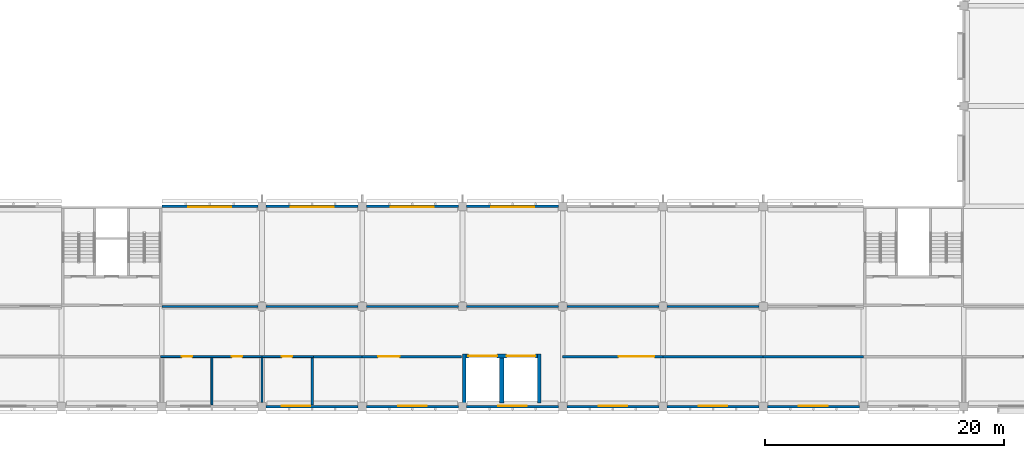
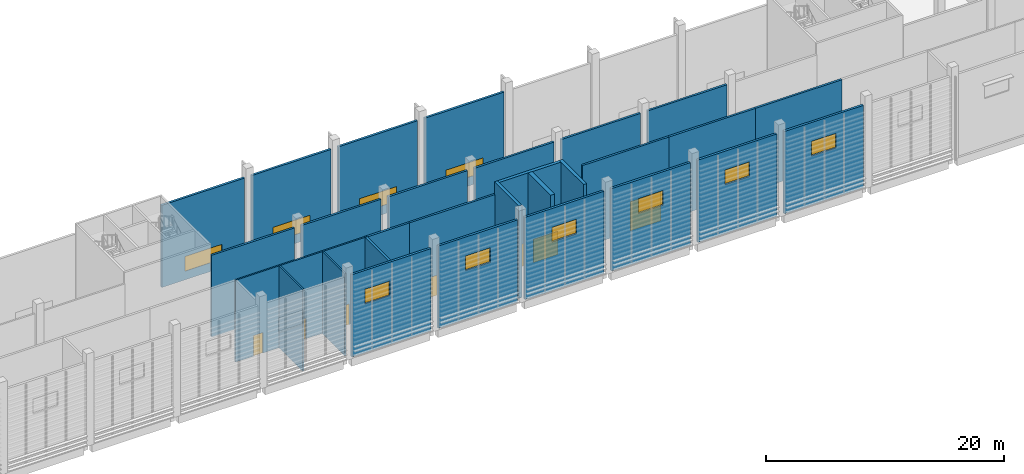
# One storey, part 43 of 114: 30 walls, 10 windows, 7 doors, 17 openings.
"""IFC4 building model written with IfcOpenShell, lengths in metres."""

import ifcopenshell
import ifcopenshell.guid

model = None  # the IFC model being written
_history = None  # IfcOwnerHistory: only IFC2X3 demands one
_inside = {}  # id of a spatial element -> (the spatial element, [elements in it])
_under = {}  # id of a project, library or spatial element -> (it, [spatial elements below it])
_declared = {}  # id of a project -> (the project, [libraries it declares])
_typed = {}  # id of a type object -> (the type object, [elements of that type])
_made_of = {}  # id of a material, layer set ... -> (it, [elements and type objects made of it])


def new_model(schema):
    """Start an empty IFC model of exactly this schema.

    Asked for "IFC4X3", IfcOpenShell would pick the latest addendum, in which some entities
    have other attributes; the version numbers below select the first issue.
    IFC2X3 requires an IfcOwnerHistory on every rooted entity: one is made here for all.
    """
    global model, _history
    if schema == "IFC4X3":
        model = ifcopenshell.file(schema_version=(4, 3, 0, 0))
    else:
        model = ifcopenshell.file(schema=schema)
    _inside.clear()
    _under.clear()
    _declared.clear()
    _typed.clear()
    _made_of.clear()
    _history = None
    if model.schema == "IFC2X3":
        org = make("IfcOrganization", Name="unknown")
        user = make(
            "IfcPersonAndOrganization",
            ThePerson=make("IfcPerson", FamilyName="unknown"),
            TheOrganization=org,
        )
        app = make(
            "IfcApplication",
            ApplicationDeveloper=org,
            Version="unknown",
            ApplicationFullName="unknown",
            ApplicationIdentifier="unknown",
        )
        _history = make(
            "IfcOwnerHistory",
            OwningUser=user,
            OwningApplication=app,
            ChangeAction="ADDED",
            CreationDate=0,
        )
    return model


def make(cls, **values):
    """One entity of the class cls with the attributes given. An attribute that is None is left unset."""
    return model.create_entity(
        cls, **{name: value for name, value in values.items() if value is not None}
    )


def rooted(cls, **values):
    """An entity with a GlobalId (a new one), such as an element, a storey or a relation."""
    return make(cls, GlobalId=ifcopenshell.guid.new(), OwnerHistory=_history, **values)


def si_unit(unit_type, name, prefix=None):
    """IfcSIUnit, for example si_unit("LENGTHUNIT", "METRE", prefix="MILLI")."""
    return make("IfcSIUnit", UnitType=unit_type, Prefix=prefix, Name=name)


def assignment(units):
    """IfcUnitAssignment: the units of a project."""
    return None if units is None else make("IfcUnitAssignment", Units=units)


def point(xyz):
    """IfcCartesianPoint."""
    return None if xyz is None else make("IfcCartesianPoint", Coordinates=xyz)


def direction(xyz):
    """IfcDirection."""
    return None if xyz is None else make("IfcDirection", DirectionRatios=xyz)


def frame(location, z_axis=None, x_axis=None):
    """IfcAxis2Placement3D, a coordinate frame: its origin and axes. An axis left out is left unset."""
    return make(
        "IfcAxis2Placement3D",
        Location=point(location),
        Axis=direction(z_axis),
        RefDirection=direction(x_axis),
    )


def frame_2d(location, x_axis=None):
    """IfcAxis2Placement2D, a coordinate frame in the plane: its origin and x axis."""
    return make(
        "IfcAxis2Placement2D", Location=point(location), RefDirection=direction(x_axis)
    )


def origin():
    """The frame at (0, 0, 0) with its axes left unset."""
    return frame((0.0, 0.0, 0.0))


def place(relative_to, where):
    """IfcLocalPlacement: puts the frame where relative to a parent placement (None: the world)."""
    return make(
        "IfcLocalPlacement", PlacementRelTo=relative_to, RelativePlacement=where
    )


def context(
    kind, dimensions, precision=None, world=None, true_north=None, identifier=None
):
    """IfcGeometricRepresentationContext, for example the 3D "Model" context."""
    return make(
        "IfcGeometricRepresentationContext",
        ContextIdentifier=identifier,
        ContextType=kind,
        CoordinateSpaceDimension=dimensions,
        Precision=precision,
        WorldCoordinateSystem=world,
        TrueNorth=true_north,
    )


def subcontext(parent, identifier, kind, view, scale=None):
    """IfcGeometricRepresentationSubContext, for example "Body" below "Model"."""
    return make(
        "IfcGeometricRepresentationSubContext",
        ContextIdentifier=identifier,
        ContextType=kind,
        ParentContext=parent,
        TargetScale=scale,
        TargetView=view,
    )


def project(units=None, contexts=None):
    """IfcProject with its units and contexts."""
    return rooted(
        "IfcProject",
        Name="project",
        RepresentationContexts=contexts,
        UnitsInContext=assignment(units),
    )


def spatial(cls, under=None, at=None, **own):
    """A site, building, storey or space (cls), placed at a placement, below another one or the project."""
    s = rooted(cls, ObjectPlacement=at, **own)
    if under is not None:
        _under.setdefault(under.id(), (under, []))[1].append(s)
    return s


def profile(cls, at=None, kind="AREA", **sizes):
    """A parametric profile (cls). Its sizes go by their IFC names, for example OverallWidth=200.0."""
    return make(cls, ProfileType=kind, Position=at, **sizes)


def rectangle(**sizes):
    """IfcRectangleProfileDef."""
    return profile("IfcRectangleProfileDef", **sizes)


def extrude(swept, where, along, depth):
    """IfcExtrudedAreaSolid: the profile swept, set in the frame where, extruded along a direction by depth."""
    return make(
        "IfcExtrudedAreaSolid",
        SweptArea=swept,
        Position=where,
        ExtrudedDirection=direction(along),
        Depth=depth,
    )


def shape(context_of_items, identifier, shape_type, items):
    """IfcShapeRepresentation: the items that make up one representation, for example the "Body"."""
    return make(
        "IfcShapeRepresentation",
        ContextOfItems=context_of_items,
        RepresentationIdentifier=identifier,
        RepresentationType=shape_type,
        Items=items,
    )


def material(Name=None, Category=None):
    """IfcMaterial."""
    return make("IfcMaterial", Name=Name, Category=Category)


def layer(
    of_material, thickness, ventilated=None, Name=None, Category=None, Priority=None
):
    """IfcMaterialLayer: one layer of a wall or slab, of a material (None: an air gap)."""
    return make(
        "IfcMaterialLayer",
        Material=of_material,
        LayerThickness=thickness,
        IsVentilated=ventilated,
        Name=Name,
        Category=Category,
        Priority=Priority,
    )


def layer_set(layers, Name=None):
    """IfcMaterialLayerSet."""
    return make("IfcMaterialLayerSet", MaterialLayers=layers, LayerSetName=Name)


def made_of(thing, what):
    """Note that an element or type object is made of a material, layer set ...; save() writes the relation."""
    if what is not None:
        _made_of.setdefault(what.id(), (what, []))[1].append(thing)
    return thing


def type_object(cls, material=None, **own):
    """A type object (cls), such as IfcWallType, which elements share."""
    return made_of(rooted(cls, **own), material)


def element(
    cls,
    number,
    at=None,
    inside=None,
    cuts=None,
    type_object=None,
    material=None,
    context=None,
    identifier="Body",
    shape_type=None,
    held_by="IfcProductDefinitionShape",
    body=None,
    shapes=None,
    **own,
):
    """One element of the class cls, such as IfcWall. Its Tag is "e" and its number.

    at: its placement. inside: the storey or other place that contains it. cuts: it is an
    opening in that element (IfcRelVoidsElement). A single representation is given by context,
    identifier, shape_type and body (its items); several are given by shapes. held_by: the class
    of the entity that holds the representations. save() writes the other relations.
    """
    e = rooted(cls, Tag="e%d" % number, ObjectPlacement=at, **own)
    if body is not None:
        shapes = [shape(context, identifier, shape_type, body)]
    if shapes is not None:
        e.Representation = make(held_by, Representations=shapes)
    if inside is not None:
        _inside.setdefault(inside.id(), (inside, []))[1].append(e)
    if cuts is not None:
        rooted(
            "IfcRelVoidsElement", RelatingBuildingElement=cuts, RelatedOpeningElement=e
        )
    if type_object is not None:
        _typed.setdefault(type_object.id(), (type_object, []))[1].append(e)
    return made_of(e, material)


def fill(opening, filler):
    """IfcRelFillsElement: the door or window that sits in an opening."""
    return rooted(
        "IfcRelFillsElement",
        RelatingOpeningElement=opening,
        RelatedBuildingElement=filler,
    )


def aggregate(whole, parts):
    """IfcRelAggregates: a whole, such as a stair, and the parts it consists of."""
    return rooted("IfcRelAggregates", RelatingObject=whole, RelatedObjects=parts)


def save(model, path):
    """Write the relations noted so far, then the file.

    IfcRelAggregates (storeys below a building ...), IfcRelContainedInSpatialStructure (elements
    in a storey), IfcRelDefinesByType, IfcRelAssociatesMaterial and IfcRelDeclares: one each for
    every whole, place, type object, material and project.
    """
    for whole, parts in _under.values():
        aggregate(whole, parts)
    for where, things in _inside.values():
        rooted(
            "IfcRelContainedInSpatialStructure",
            RelatedElements=things,
            RelatingStructure=where,
        )
    for kind, things in _typed.values():
        rooted("IfcRelDefinesByType", RelatedObjects=things, RelatingType=kind)
    for what, things in _made_of.values():
        rooted("IfcRelAssociatesMaterial", RelatedObjects=things, RelatingMaterial=what)
    for by, libraries in _declared.values():
        rooted("IfcRelDeclares", RelatingContext=by, RelatedDefinitions=libraries)
    model.write(path)


model = new_model("IFC4")

# Units and contexts
model_context = context("Model", 3, precision=1e-05, world=origin(), true_north=direction((0.0, 1.0)))
body_context = subcontext(model_context, "Body", "Model", "MODEL_VIEW")
ifc_project = project(units=[si_unit("LENGTHUNIT", "METRE"), si_unit("AREAUNIT", "SQUARE_METRE"), si_unit("VOLUMEUNIT", "CUBIC_METRE"), si_unit("PLANEANGLEUNIT", "RADIAN"), si_unit("MASSUNIT", "GRAM", prefix="KILO")], contexts=[model_context])

# Site, building, storey
site_placement = place(None, origin())
site = spatial("IfcSite", under=ifc_project, at=site_placement, CompositionType="ELEMENT")
building_placement = place(site_placement, origin())
building = spatial("IfcBuilding", under=site, at=building_placement, Name="Almond Square Museum", CompositionType="ELEMENT")
storey_placement = place(building_placement, frame((0.0, 0.0, 10.5)))
storey = spatial("IfcBuildingStorey", under=building, at=storey_placement, Name="L02", CompositionType="ELEMENT", Elevation=10.5)

# Walls
ifc_material_1 = material(Name="Concrete blockwork 200", Category="masonry")
ifc_layer_1 = layer(ifc_material_1, 0.199951171875)
ifc_layer_set_1 = layer_set([ifc_layer_1], Name="Concrete blockwork 200")
wall_type_1 = type_object("IfcWallType", Name="Fire partition 200 blockwork", PredefinedType="PARTITIONING", material=ifc_layer_set_1)
wall_1_placement = place(storey_placement, frame((64.800048828125, 8.39990234375, 0.0), z_axis=(0.0, 0.0, 1.0), x_axis=(1.0, 0.0, 0.0)))
element("IfcWall", 1, at=wall_1_placement, inside=storey, type_object=wall_type_1, Name="L02 partition 38", PredefinedType="PARTITIONING", context=body_context, shape_type="SweptSolid", body=[
    extrude(rectangle(XDim=8.050048828125, YDim=0.199951171875, at=frame_2d((4.02490234375, 0.0))), origin(), (0.0, 0.0, 1.0), 8.39990234375),
])
for number, where, z_axis, x_axis, name in (
    (2, (73.550048828125, 8.39990234375, 0.0), (0.0, 0.0, 1.0), (1.0, 0.0, 0.0), "L02 partition 39"),
    (3, (81.949951171875, 8.39990234375, 0.0), (0.0, 0.0, 1.0), (1.0, 0.0, 0.0), "L02 partition 40"),
    (4, (90.35009765625, 8.39990234375, 0.0), (0.0, 0.0, 1.0), (1.0, 0.0, 0.0), "L02 partition 41"),
    (5, (98.75, 8.39990234375, 0.0), (0.0, 0.0, 1.0), (1.0, 0.0, 0.0), "L02 partition 42"),
):
    element("IfcWall", number, at=place(storey_placement, frame(where, z_axis=z_axis, x_axis=x_axis)), inside=storey, type_object=wall_type_1, Name=name, PredefinedType="PARTITIONING", context=body_context, shape_type="SweptSolid", body=[
        extrude(rectangle(XDim=7.699951171875, YDim=0.199951171875, at=frame_2d((3.85009765625, 0.0))), origin(), (0.0, 0.0, 1.0), 8.39990234375),
    ])
wall_2_placement = place(storey_placement, frame((107.14990234375, 8.39990234375, 0.0), z_axis=(0.0, 0.0, 1.0), x_axis=(1.0, 0.0, 0.0)))
element("IfcWall", 6, at=wall_2_placement, inside=storey, type_object=wall_type_1, Name="L02 partition 43", PredefinedType="PARTITIONING", context=body_context, shape_type="SweptSolid", body=[
    extrude(rectangle(XDim=7.7001953125, YDim=0.199951171875, at=frame_2d((3.85009765625, 0.0))), origin(), (0.0, 0.0, 1.0), 8.39990234375),
])

# Wall, opening, door
wall_3_placement = place(storey_placement, frame((98.39990234375, 4.199951171875, 0.0), z_axis=(0.0, 0.0, 1.0), x_axis=(1.0, 0.0, 0.0)))
wall_3 = element("IfcWall", 7, at=wall_3_placement, inside=storey, type_object=wall_type_1, Name="L02 partition 45", PredefinedType="PARTITIONING", context=body_context, shape_type="SweptSolid", body=[
    extrude(rectangle(XDim=8.400146484375, YDim=0.199951171875, at=frame_2d((4.2001953125, 0.0))), origin(), (0.0, 0.0, 1.0), 8.39990234375),
])
opening_1_placement = place(wall_3_placement, frame((4.675048828125, 0.0, 0.0)))
opening_1 = element("IfcOpeningElement", 8, at=opening_1_placement, cuts=wall_3, Name="Opening D2117", PredefinedType="OPENING", context=body_context, shape_type="SweptSolid", body=[
    extrude(rectangle(XDim=3.0, YDim=3.0, at=frame_2d((1.5, 1.5))), frame((0.0, 0.10986328125, 0.0), z_axis=(0.0, -1.0, 0.0), x_axis=(1.0, 0.0, 0.0)), (0.0, 0.0, 1.0), 0.219970703125),
])
ifc_material_2 = material(Name="Steel", Category="steel")
door_type_1 = type_object("IfcDoorType", Name="Dock door 3000 x 3000 steel double", OperationType="NOTDEFINED", PredefinedType="DOOR", material=ifc_material_2)
door_1_placement = place(opening_1_placement, origin())
door_1 = element("IfcDoor", 9, at=door_1_placement, inside=storey, type_object=door_type_1, Name="L02 door Tall Object Store 3 to Service Corridor 1", OperationType="DOUBLE_DOOR_SINGLE_SWING", OverallHeight=3.0, OverallWidth=3.0, PredefinedType="DOOR", context=body_context, shape_type="SweptSolid", body=[
    extrude(rectangle(XDim=3.0, YDim=3.0, at=frame_2d((1.5, 1.5))), frame((0.0, 0.02490234375, 0.0), z_axis=(0.0, -1.0, 0.0), x_axis=(1.0, 0.0, 0.0)), (0.0, 0.0, 1.0), 0.050048828125),
])
fill(opening_1, door_1)

# Walls
wall_4_placement = place(storey_placement, frame((106.800048828125, 4.199951171875, 0.0), z_axis=(0.0, 0.0, 1.0), x_axis=(1.0, 0.0, 0.0)))
element("IfcWall", 10, at=wall_4_placement, inside=storey, type_object=wall_type_1, Name="L02 partition 46", PredefinedType="PARTITIONING", context=body_context, shape_type="SweptSolid", body=[
    extrude(rectangle(XDim=8.39990234375, YDim=0.199951171875, at=frame_2d((4.199951171875, 0.0))), origin(), (0.0, 0.0, 1.0), 8.39990234375),
])
wall_5_placement = place(storey_placement, frame((115.199951171875, 4.199951171875, 0.0), z_axis=(0.0, 0.0, 1.0), x_axis=(1.0, 0.0, 0.0)))
element("IfcWall", 11, at=wall_5_placement, inside=storey, type_object=wall_type_1, Name="L02 partition 47", PredefinedType="PARTITIONING", context=body_context, shape_type="SweptSolid", body=[
    extrude(rectangle(XDim=8.400146484375, YDim=0.199951171875, at=frame_2d((4.2001953125, 0.0))), origin(), (0.0, 0.0, 1.0), 8.39990234375),
])
wall_6_placement = place(storey_placement, frame((77.300048828125, 4.199951171875, 0.0), z_axis=(0.0, 0.0, 1.0), x_axis=(1.0, 0.0, 0.0)))
element("IfcWall", 12, at=wall_6_placement, inside=storey, type_object=wall_type_1, Name="L02 partition 60", PredefinedType="PARTITIONING", context=body_context, shape_type="SweptSolid", body=[
    extrude(rectangle(XDim=4.300048828125, YDim=0.199951171875, at=frame_2d((2.14990234375, 0.0))), origin(), (0.0, 0.0, 1.0), 8.39990234375),
])

# Wall, opening, door
wall_7_placement = place(storey_placement, frame((81.60009765625, 4.199951171875, 0.0), z_axis=(0.0, 0.0, 1.0), x_axis=(1.0, 0.0, 0.0)))
wall_7 = element("IfcWall", 13, at=wall_7_placement, inside=storey, type_object=wall_type_1, Name="L02 partition 61", PredefinedType="PARTITIONING", context=body_context, shape_type="SweptSolid", body=[
    extrude(rectangle(XDim=8.2998046875, YDim=0.199951171875, at=frame_2d((4.14990234375, 0.0))), origin(), (0.0, 0.0, 1.0), 8.39990234375),
])
opening_2_placement = place(wall_7_placement, frame((1.324951171875, 0.0, 0.0)))
opening_2 = element("IfcOpeningElement", 14, at=opening_2_placement, cuts=wall_7, Name="Opening D2116", PredefinedType="OPENING", context=body_context, shape_type="SweptSolid", body=[
    extrude(rectangle(XDim=1.800048828125, YDim=2.10009765625, at=frame_2d((0.89990234375, 1.050048828125))), frame((0.0, 0.10986328125, 0.0), z_axis=(0.0, -1.0, 0.0), x_axis=(1.0, 0.0, 0.0)), (0.0, 0.0, 1.0), 0.219970703125),
])
ifc_material_3 = material(Name="Steel", Category="steel")
door_type_2 = type_object("IfcDoorType", Name="Fire door 1800 x 2100 FD60 double", OperationType="NOTDEFINED", PredefinedType="DOOR", material=ifc_material_3)
door_2_placement = place(opening_2_placement, origin())
door_2 = element("IfcDoor", 15, at=door_2_placement, inside=storey, type_object=door_type_2, Name="L02 door Crate Store to Service Corridor 2", OperationType="DOUBLE_DOOR_SINGLE_SWING", OverallHeight=2.10009765625, OverallWidth=1.800048828125, PredefinedType="DOOR", context=body_context, shape_type="SweptSolid", body=[
    extrude(rectangle(XDim=1.800048828125, YDim=2.10009765625, at=frame_2d((0.89990234375, 1.050048828125))), frame((0.0, 0.02490234375, 0.0), z_axis=(0.0, -1.0, 0.0), x_axis=(1.0, 0.0, 0.0)), (0.0, 0.0, 1.0), 0.050048828125),
])
fill(opening_2, door_2)

# Wall
wall_8_placement = place(storey_placement, frame((77.39990234375, 0.14990234375, 0.0), z_axis=(0.0, 0.0, 1.0), x_axis=(0.0, 1.0, 0.0)))
element("IfcWall", 16, at=wall_8_placement, inside=storey, type_object=wall_type_1, Name="L02 partition 66", PredefinedType="PARTITIONING", context=body_context, shape_type="SweptSolid", body=[
    extrude(rectangle(XDim=3.97509765625, YDim=0.199951171875, at=frame_2d((1.987548828125, 0.0))), origin(), (0.0, 0.0, 1.0), 8.39990234375),
])

# Wall, openings, doors
ifc_material_4 = material(Name="Plasterboard on steel stud", Category="steel")
ifc_layer_2 = layer(ifc_material_4, 0.14990234375)
ifc_layer_set_2 = layer_set([ifc_layer_2], Name="Plasterboard on steel stud")
wall_type_2 = type_object("IfcWallType", Name="Partition 150 plasterboard on steel stud", PredefinedType="PARTITIONING", material=ifc_layer_set_2)
wall_9_placement = place(storey_placement, frame((64.699951171875, 4.199951171875, 0.0), z_axis=(0.0, 0.0, 1.0), x_axis=(1.0, 0.0, 0.0)))
wall_9 = element("IfcWall", 17, at=wall_9_placement, inside=storey, type_object=wall_type_2, Name="L02 partition 58", PredefinedType="PARTITIONING", context=body_context, shape_type="SweptSolid", body=[
    extrude(rectangle(XDim=8.5, YDim=0.14990234375, at=frame_2d((4.25, 0.0))), origin(), (0.0, 0.0, 1.0), 8.39990234375),
])
opening_3_placement = place(wall_9_placement, frame((1.762451171875, 0.0, 0.0)))
opening_3 = element("IfcOpeningElement", 18, at=opening_3_placement, cuts=wall_9, Name="Opening D2113", PredefinedType="OPENING", context=body_context, shape_type="SweptSolid", body=[
    extrude(rectangle(XDim=0.89990234375, YDim=2.10009765625, at=frame_2d((0.449951171875, 1.050048828125))), frame((0.0, 0.0849609375, 0.0), z_axis=(0.0, -1.0, 0.0), x_axis=(1.0, 0.0, 0.0)), (0.0, 0.0, 1.0), 0.169921875),
])
opening_4_placement = place(wall_9_placement, frame((5.949951171875, 0.0, 0.0)))
opening_4 = element("IfcOpeningElement", 19, at=opening_4_placement, cuts=wall_9, Name="Opening D2114", PredefinedType="OPENING", context=body_context, shape_type="SweptSolid", body=[
    extrude(rectangle(XDim=0.89990234375, YDim=2.10009765625, at=frame_2d((0.449951171875, 1.050048828125))), frame((0.0, 0.0849609375, 0.0), z_axis=(0.0, -1.0, 0.0), x_axis=(1.0, 0.0, 0.0)), (0.0, 0.0, 1.0), 0.169921875),
])
ifc_material_5 = material(Name="Timber", Category="wood")
door_type_3 = type_object("IfcDoorType", Name="Door 900 x 2100 timber single", OperationType="NOTDEFINED", PredefinedType="DOOR", material=ifc_material_5)
door_3_placement = place(opening_3_placement, origin())
door_3 = element("IfcDoor", 20, at=door_3_placement, inside=storey, type_object=door_type_3, Name="L02 door Women's WC 2 to Service Corridor 2", OperationType="SINGLE_SWING_LEFT", OverallHeight=2.10009765625, OverallWidth=0.89990234375, PredefinedType="DOOR", context=body_context, shape_type="SweptSolid", body=[
    extrude(rectangle(XDim=0.89990234375, YDim=2.10009765625, at=frame_2d((0.449951171875, 1.050048828125))), frame((0.0, 0.02490234375, 0.0), z_axis=(0.0, -1.0, 0.0), x_axis=(1.0, 0.0, 0.0)), (0.0, 0.0, 1.0), 0.050048828125),
])
fill(opening_3, door_3)
door_4_placement = place(opening_4_placement, origin())
door_4 = element("IfcDoor", 21, at=door_4_placement, inside=storey, type_object=door_type_3, Name="L02 door Men's WC 2 to Service Corridor 2", OperationType="SINGLE_SWING_RIGHT", OverallHeight=2.10009765625, OverallWidth=0.89990234375, PredefinedType="DOOR", context=body_context, shape_type="SweptSolid", body=[
    extrude(rectangle(XDim=0.89990234375, YDim=2.10009765625, at=frame_2d((0.449951171875, 1.050048828125))), frame((0.0, 0.02490234375, 0.0), z_axis=(0.0, -1.0, 0.0), x_axis=(1.0, 0.0, 0.0)), (0.0, 0.0, 1.0), 0.050048828125),
])
fill(opening_4, door_4)

# Wall, opening, door
wall_10_placement = place(storey_placement, frame((73.199951171875, 4.199951171875, 0.0), z_axis=(0.0, 0.0, 1.0), x_axis=(1.0, 0.0, 0.0)))
wall_10 = element("IfcWall", 22, at=wall_10_placement, inside=storey, type_object=wall_type_2, Name="L02 partition 59", PredefinedType="PARTITIONING", context=body_context, shape_type="SweptSolid", body=[
    extrude(rectangle(XDim=4.300048828125, YDim=0.14990234375, at=frame_2d((2.14990234375, 0.0))), origin(), (0.0, 0.0, 1.0), 8.39990234375),
])
opening_5_placement = place(wall_10_placement, frame((1.637451171875, 0.0, 0.0)))
opening_5 = element("IfcOpeningElement", 23, at=opening_5_placement, cuts=wall_10, Name="Opening D2115", PredefinedType="OPENING", context=body_context, shape_type="SweptSolid", body=[
    extrude(rectangle(XDim=0.89990234375, YDim=2.10009765625, at=frame_2d((0.449951171875, 1.050048828125))), frame((0.0, 0.0849609375, 0.0), z_axis=(0.0, -1.0, 0.0), x_axis=(1.0, 0.0, 0.0)), (0.0, 0.0, 1.0), 0.169921875),
])
door_5_placement = place(opening_5_placement, origin())
door_5 = element("IfcDoor", 24, at=door_5_placement, inside=storey, type_object=door_type_3, Name="L02 door Accessible WC 2 to Service Corridor 2", OperationType="SINGLE_SWING_LEFT", OverallHeight=2.10009765625, OverallWidth=0.89990234375, PredefinedType="DOOR", context=body_context, shape_type="SweptSolid", body=[
    extrude(rectangle(XDim=0.89990234375, YDim=2.10009765625, at=frame_2d((0.449951171875, 1.050048828125))), frame((0.0, 0.02490234375, 0.0), z_axis=(0.0, -1.0, 0.0), x_axis=(1.0, 0.0, 0.0)), (0.0, 0.0, 1.0), 0.050048828125),
])
fill(opening_5, door_5)

# Walls
wall_11_placement = place(storey_placement, frame((69.0, 0.14990234375, 0.0), z_axis=(0.0, 0.0, 1.0), x_axis=(0.0, 1.0, 0.0)))
element("IfcWall", 25, at=wall_11_placement, inside=storey, type_object=wall_type_2, Name="L02 partition 64", PredefinedType="PARTITIONING", context=body_context, shape_type="SweptSolid", body=[
    extrude(rectangle(XDim=3.97509765625, YDim=0.14990234375, at=frame_2d((1.987548828125, 0.0))), origin(), (0.0, 0.0, 1.0), 8.39990234375),
])
wall_12_placement = place(storey_placement, frame((73.199951171875, 0.35009765625, 0.0), z_axis=(0.0, 0.0, 1.0), x_axis=(0.0, 1.0, 0.0)))
element("IfcWall", 26, at=wall_12_placement, inside=storey, type_object=wall_type_2, Name="L02 partition 65", PredefinedType="PARTITIONING", context=body_context, shape_type="SweptSolid", body=[
    extrude(rectangle(XDim=3.77490234375, YDim=0.14990234375, at=frame_2d((1.887451171875, 0.0))), origin(), (0.0, 0.0, 1.0), 8.39990234375),
])
ifc_material_6 = material(Name="Concrete C40/50", Category="concrete")
ifc_layer_3 = layer(ifc_material_6, 0.300048828125)
ifc_layer_set_3 = layer_set([ifc_layer_3], Name="Concrete C40/50")
wall_type_3 = type_object("IfcWallType", Name="RC shear wall 300 C40/50", PredefinedType="SHEAR", material=ifc_layer_set_3)
for number, where, z_axis, x_axis, name in (
    (27, (90.14990234375, 0.300048828125, 0.0), (0.0, 0.0, 1.0), (0.0, 1.0, 0.0), "Goods lift shaft west wall L02"),
    (28, (96.449951171875, 0.300048828125, 0.0), (0.0, 0.0, 1.0), (0.0, 1.0, 0.0), "Goods lift shaft east wall L02"),
):
    element("IfcWall", number, at=place(storey_placement, frame(where, z_axis=z_axis, x_axis=x_axis)), inside=storey, type_object=wall_type_3, Name=name, PredefinedType="SHEAR", context=body_context, shape_type="SweptSolid", body=[
        extrude(rectangle(XDim=4.099853515625, YDim=0.300048828125, at=frame_2d((2.0498046875, 0.0))), origin(), (0.0, 0.0, 1.0), 9.5),
    ])

# Wall, openings, doors
wall_13_placement = place(storey_placement, frame((90.300048828125, 4.25, 0.0), z_axis=(0.0, 0.0, 1.0), x_axis=(1.0, 0.0, 0.0)))
wall_13 = element("IfcWall", 29, at=wall_13_placement, inside=storey, type_object=wall_type_3, Name="Goods lift shaft lobby wall L02", PredefinedType="SHEAR", context=body_context, shape_type="SweptSolid", body=[
    extrude(rectangle(XDim=6.0, YDim=0.300048828125, at=frame_2d((3.0, 0.0))), origin(), (0.0, 0.0, 1.0), 9.5),
])
opening_6_placement = place(wall_13_placement, frame((0.199951171875, 0.0, 0.0)))
opening_6 = element("IfcOpeningElement", 30, at=opening_6_placement, cuts=wall_13, Name="Opening D2183", PredefinedType="OPENING", context=body_context, shape_type="SweptSolid", body=[
    extrude(rectangle(XDim=2.39990234375, YDim=2.39990234375, at=frame_2d((1.199951171875, 1.199951171875))), frame((0.0, 0.159912109375, 0.0), z_axis=(0.0, -1.0, 0.0), x_axis=(1.0, 0.0, 0.0)), (0.0, 0.0, 1.0), 0.320068359375),
])
opening_7_placement = place(wall_13_placement, frame((3.39990234375, 0.0, 0.0)))
opening_7 = element("IfcOpeningElement", 31, at=opening_7_placement, cuts=wall_13, Name="Opening D2184", PredefinedType="OPENING", context=body_context, shape_type="SweptSolid", body=[
    extrude(rectangle(XDim=2.39990234375, YDim=2.39990234375, at=frame_2d((1.199951171875, 1.199951171875))), frame((0.0, 0.159912109375, 0.0), z_axis=(0.0, -1.0, 0.0), x_axis=(1.0, 0.0, 0.0)), (0.0, 0.0, 1.0), 0.320068359375),
])
ifc_material_7 = material(Name="Stainless steel", Category="steel")
door_type_4 = type_object("IfcDoorType", Name="Goods lift landing door 2400 x 2400", OperationType="NOTDEFINED", PredefinedType="DOOR", material=ifc_material_7)
door_6_placement = place(opening_6_placement, origin())
door_6 = element("IfcDoor", 32, at=door_6_placement, inside=storey, type_object=door_type_4, Name="L02 goods lift GL1 landing door", OperationType="DOUBLE_DOOR_SLIDING", OverallHeight=2.39990234375, OverallWidth=2.39990234375, PredefinedType="DOOR", context=body_context, shape_type="SweptSolid", body=[
    extrude(rectangle(XDim=2.39990234375, YDim=2.39990234375, at=frame_2d((1.199951171875, 1.199951171875))), frame((0.0, 0.02490234375, 0.0), z_axis=(0.0, -1.0, 0.0), x_axis=(1.0, 0.0, 0.0)), (0.0, 0.0, 1.0), 0.050048828125),
])
fill(opening_6, door_6)
door_7_placement = place(opening_7_placement, origin())
door_7 = element("IfcDoor", 33, at=door_7_placement, inside=storey, type_object=door_type_4, Name="L02 goods lift GL2 landing door", OperationType="DOUBLE_DOOR_SLIDING", OverallHeight=2.39990234375, OverallWidth=2.39990234375, PredefinedType="DOOR", context=body_context, shape_type="SweptSolid", body=[
    extrude(rectangle(XDim=2.39990234375, YDim=2.39990234375, at=frame_2d((1.199951171875, 1.199951171875))), frame((0.0, 0.02490234375, 0.0), z_axis=(0.0, -1.0, 0.0), x_axis=(1.0, 0.0, 0.0)), (0.0, 0.0, 1.0), 0.050048828125),
])
fill(opening_7, door_7)

# Wall
ifc_material_8 = material(Name="Concrete C40/50", Category="concrete")
ifc_layer_4 = layer(ifc_material_8, 0.39990234375)
ifc_layer_set_4 = layer_set([ifc_layer_4], Name="Concrete C40/50")
wall_type_4 = type_object("IfcWallType", Name="RC shear wall 400 C40/50", PredefinedType="SHEAR", material=ifc_layer_set_4)
wall_14_placement = place(storey_placement, frame((93.300048828125, 0.300048828125, 0.0), z_axis=(0.0, 0.0, 1.0), x_axis=(0.0, 1.0, 0.0)))
element("IfcWall", 34, at=wall_14_placement, inside=storey, type_object=wall_type_4, Name="Goods lift shaft partition wall L02", PredefinedType="SHEAR", context=body_context, shape_type="SweptSolid", body=[
    extrude(rectangle(XDim=3.800048828125, YDim=0.39990234375, at=frame_2d((1.89990234375, 0.0))), origin(), (0.0, 0.0, 1.0), 9.5),
])

# Wall, opening, window
ifc_material_9 = material(Name="Concrete C30/37", Category="concrete")
ifc_layer_5 = layer(ifc_material_9, 0.219970703125)
ifc_layer_set_5 = layer_set([ifc_layer_5], Name="Concrete C30/37")
wall_type_5 = type_object("IfcWallType", Name="Stucco panel wall 220 with insulation", PredefinedType="SOLIDWALL", material=ifc_layer_set_5)
wall_15_placement = place(storey_placement, frame((73.550048828125, 0.0, 0.0), z_axis=(0.0, 0.0, 1.0), x_axis=(1.0, 0.0, 0.0)))
wall_15 = element("IfcWall", 35, at=wall_15_placement, inside=storey, type_object=wall_type_5, Name="External wall W4 V5S L02 S08", PredefinedType="SOLIDWALL", context=body_context, shape_type="SweptSolid", body=[
    extrude(rectangle(XDim=7.699951171875, YDim=0.219970703125, at=frame_2d((3.85009765625, 0.0))), origin(), (0.0, 0.0, 1.0), 8.43994140625),
])
opening_8_placement = place(wall_15_placement, frame((1.300048828125, 0.0, 5.0)))
opening_8 = element("IfcOpeningElement", 36, at=opening_8_placement, cuts=wall_15, Name="Opening W2008", PredefinedType="OPENING", context=body_context, shape_type="SweptSolid", body=[
    extrude(rectangle(XDim=2.39990234375, YDim=1.5, at=frame_2d((1.199951171875, 0.75))), frame((0.0, 0.119873046875, 0.0), z_axis=(0.0, -1.0, 0.0), x_axis=(1.0, 0.0, 0.0)), (0.0, 0.0, 1.0), 0.239990234375),
])
ifc_material_10 = material(Name="Aluminium frame and laminated glass", Category="aluminium")
window_type_1 = type_object("IfcWindowType", Name="Tall studio clerestory window", PartitioningType="SINGLE_PANEL", PredefinedType="WINDOW", material=ifc_material_10)
window_1_placement = place(opening_8_placement, origin())
window_1 = element("IfcWindow", 37, at=window_1_placement, inside=storey, type_object=window_type_1, Name="Tall studio clerestory window W2008", OverallHeight=1.5, OverallWidth=2.39990234375, PartitioningType="SINGLE_PANEL", PredefinedType="WINDOW", context=body_context, shape_type="SweptSolid", body=[
    extrude(rectangle(XDim=2.39990234375, YDim=1.5, at=frame_2d((1.199951171875, 0.75))), frame((0.0, 0.090087890625, 0.0), z_axis=(0.0, -1.0, 0.0), x_axis=(1.0, 0.0, 0.0)), (0.0, 0.0, 1.0), 0.06005859375),
])
fill(opening_8, window_1)

wall_16_placement = place(storey_placement, frame((81.949951171875, 0.0, 0.0), z_axis=(0.0, 0.0, 1.0), x_axis=(1.0, 0.0, 0.0)))
wall_16 = element("IfcWall", 38, at=wall_16_placement, inside=storey, type_object=wall_type_5, Name="External wall W4 V5S L02 S09", PredefinedType="SOLIDWALL", context=body_context, shape_type="SweptSolid", body=[
    extrude(rectangle(XDim=7.699951171875, YDim=0.219970703125, at=frame_2d((3.85009765625, 0.0))), origin(), (0.0, 0.0, 1.0), 8.43994140625),
])
opening_9_placement = place(wall_16_placement, frame((2.64990234375, 0.0, 5.0)))
opening_9 = element("IfcOpeningElement", 39, at=opening_9_placement, cuts=wall_16, Name="Opening W2009", PredefinedType="OPENING", context=body_context, shape_type="SweptSolid", body=[
    extrude(rectangle(XDim=2.39990234375, YDim=1.5, at=frame_2d((1.199951171875, 0.75))), frame((0.0, 0.119873046875, 0.0), z_axis=(0.0, -1.0, 0.0), x_axis=(1.0, 0.0, 0.0)), (0.0, 0.0, 1.0), 0.239990234375),
])
window_2_placement = place(opening_9_placement, origin())
window_2 = element("IfcWindow", 40, at=window_2_placement, inside=storey, type_object=window_type_1, Name="Tall studio clerestory window W2009", OverallHeight=1.5, OverallWidth=2.39990234375, PartitioningType="SINGLE_PANEL", PredefinedType="WINDOW", context=body_context, shape_type="SweptSolid", body=[
    extrude(rectangle(XDim=2.39990234375, YDim=1.5, at=frame_2d((1.199951171875, 0.75))), frame((0.0, 0.090087890625, 0.0), z_axis=(0.0, -1.0, 0.0), x_axis=(1.0, 0.0, 0.0)), (0.0, 0.0, 1.0), 0.06005859375),
])
fill(opening_9, window_2)

wall_17_placement = place(storey_placement, frame((90.35009765625, 0.0, 0.0), z_axis=(0.0, 0.0, 1.0), x_axis=(1.0, 0.0, 0.0)))
wall_17 = element("IfcWall", 41, at=wall_17_placement, inside=storey, type_object=wall_type_5, Name="External wall W4 V5S L02 S10", PredefinedType="SOLIDWALL", context=body_context, shape_type="SweptSolid", body=[
    extrude(rectangle(XDim=7.699951171875, YDim=0.219970703125, at=frame_2d((3.85009765625, 0.0))), origin(), (0.0, 0.0, 1.0), 8.43994140625),
])
opening_10_placement = place(wall_17_placement, frame((2.64990234375, 0.0, 5.0)))
opening_10 = element("IfcOpeningElement", 42, at=opening_10_placement, cuts=wall_17, Name="Opening W2010", PredefinedType="OPENING", context=body_context, shape_type="SweptSolid", body=[
    extrude(rectangle(XDim=2.39990234375, YDim=1.5, at=frame_2d((1.199951171875, 0.75))), frame((0.0, 0.119873046875, 0.0), z_axis=(0.0, -1.0, 0.0), x_axis=(1.0, 0.0, 0.0)), (0.0, 0.0, 1.0), 0.239990234375),
])
window_3_placement = place(opening_10_placement, origin())
window_3 = element("IfcWindow", 43, at=window_3_placement, inside=storey, type_object=window_type_1, Name="Tall studio clerestory window W2010", OverallHeight=1.5, OverallWidth=2.39990234375, PartitioningType="SINGLE_PANEL", PredefinedType="WINDOW", context=body_context, shape_type="SweptSolid", body=[
    extrude(rectangle(XDim=2.39990234375, YDim=1.5, at=frame_2d((1.199951171875, 0.75))), frame((0.0, 0.090087890625, 0.0), z_axis=(0.0, -1.0, 0.0), x_axis=(1.0, 0.0, 0.0)), (0.0, 0.0, 1.0), 0.06005859375),
])
fill(opening_10, window_3)

wall_18_placement = place(storey_placement, frame((98.75, 0.0, 0.0), z_axis=(0.0, 0.0, 1.0), x_axis=(1.0, 0.0, 0.0)))
wall_18 = element("IfcWall", 44, at=wall_18_placement, inside=storey, type_object=wall_type_5, Name="External wall W4 V5S L02 S11", PredefinedType="SOLIDWALL", context=body_context, shape_type="SweptSolid", body=[
    extrude(rectangle(XDim=7.699951171875, YDim=0.219970703125, at=frame_2d((3.85009765625, 0.0))), origin(), (0.0, 0.0, 1.0), 8.43994140625),
])
opening_11_placement = place(wall_18_placement, frame((2.64990234375, 0.0, 5.0)))
opening_11 = element("IfcOpeningElement", 45, at=opening_11_placement, cuts=wall_18, Name="Opening W2011", PredefinedType="OPENING", context=body_context, shape_type="SweptSolid", body=[
    extrude(rectangle(XDim=2.39990234375, YDim=1.5, at=frame_2d((1.199951171875, 0.75))), frame((0.0, 0.119873046875, 0.0), z_axis=(0.0, -1.0, 0.0), x_axis=(1.0, 0.0, 0.0)), (0.0, 0.0, 1.0), 0.239990234375),
])
window_4_placement = place(opening_11_placement, origin())
window_4 = element("IfcWindow", 46, at=window_4_placement, inside=storey, type_object=window_type_1, Name="Tall studio clerestory window W2011", OverallHeight=1.5, OverallWidth=2.39990234375, PartitioningType="SINGLE_PANEL", PredefinedType="WINDOW", context=body_context, shape_type="SweptSolid", body=[
    extrude(rectangle(XDim=2.39990234375, YDim=1.5, at=frame_2d((1.199951171875, 0.75))), frame((0.0, 0.090087890625, 0.0), z_axis=(0.0, -1.0, 0.0), x_axis=(1.0, 0.0, 0.0)), (0.0, 0.0, 1.0), 0.06005859375),
])
fill(opening_11, window_4)

wall_19_placement = place(storey_placement, frame((107.14990234375, 0.0, 0.0), z_axis=(0.0, 0.0, 1.0), x_axis=(1.0, 0.0, 0.0)))
wall_19 = element("IfcWall", 47, at=wall_19_placement, inside=storey, type_object=wall_type_5, Name="External wall W4 V5S L02 S12", PredefinedType="SOLIDWALL", context=body_context, shape_type="SweptSolid", body=[
    extrude(rectangle(XDim=7.7001953125, YDim=0.219970703125, at=frame_2d((3.85009765625, 0.0))), origin(), (0.0, 0.0, 1.0), 8.43994140625),
])
opening_12_placement = place(wall_19_placement, frame((2.64990234375, 0.0, 5.0)))
opening_12 = element("IfcOpeningElement", 48, at=opening_12_placement, cuts=wall_19, Name="Opening W2012", PredefinedType="OPENING", context=body_context, shape_type="SweptSolid", body=[
    extrude(rectangle(XDim=2.39990234375, YDim=1.5, at=frame_2d((1.199951171875, 0.75))), frame((0.0, 0.119873046875, 0.0), z_axis=(0.0, -1.0, 0.0), x_axis=(1.0, 0.0, 0.0)), (0.0, 0.0, 1.0), 0.239990234375),
])
window_5_placement = place(opening_12_placement, origin())
window_5 = element("IfcWindow", 49, at=window_5_placement, inside=storey, type_object=window_type_1, Name="Tall studio clerestory window W2012", OverallHeight=1.5, OverallWidth=2.39990234375, PartitioningType="SINGLE_PANEL", PredefinedType="WINDOW", context=body_context, shape_type="SweptSolid", body=[
    extrude(rectangle(XDim=2.39990234375, YDim=1.5, at=frame_2d((1.199951171875, 0.75))), frame((0.0, 0.090087890625, 0.0), z_axis=(0.0, -1.0, 0.0), x_axis=(1.0, 0.0, 0.0)), (0.0, 0.0, 1.0), 0.06005859375),
])
fill(opening_12, window_5)

wall_20_placement = place(storey_placement, frame((115.550048828125, 0.0, 0.0), z_axis=(0.0, 0.0, 1.0), x_axis=(1.0, 0.0, 0.0)))
wall_20 = element("IfcWall", 50, at=wall_20_placement, inside=storey, type_object=wall_type_5, Name="External wall W4 V5S L02 S13", PredefinedType="SOLIDWALL", context=body_context, shape_type="SweptSolid", body=[
    extrude(rectangle(XDim=7.699951171875, YDim=0.219970703125, at=frame_2d((3.85009765625, 0.0))), origin(), (0.0, 0.0, 1.0), 8.43994140625),
])
opening_13_placement = place(wall_20_placement, frame((2.64990234375, 0.0, 5.0)))
opening_13 = element("IfcOpeningElement", 51, at=opening_13_placement, cuts=wall_20, Name="Opening W2013", PredefinedType="OPENING", context=body_context, shape_type="SweptSolid", body=[
    extrude(rectangle(XDim=2.39990234375, YDim=1.5, at=frame_2d((1.199951171875, 0.75))), frame((0.0, 0.119873046875, 0.0), z_axis=(0.0, -1.0, 0.0), x_axis=(1.0, 0.0, 0.0)), (0.0, 0.0, 1.0), 0.239990234375),
])
window_6_placement = place(opening_13_placement, origin())
window_6 = element("IfcWindow", 52, at=window_6_placement, inside=storey, type_object=window_type_1, Name="Tall studio clerestory window W2013", OverallHeight=1.5, OverallWidth=2.39990234375, PartitioningType="SINGLE_PANEL", PredefinedType="WINDOW", context=body_context, shape_type="SweptSolid", body=[
    extrude(rectangle(XDim=2.39990234375, YDim=1.5, at=frame_2d((1.199951171875, 0.75))), frame((0.0, 0.090087890625, 0.0), z_axis=(0.0, -1.0, 0.0), x_axis=(1.0, 0.0, 0.0)), (0.0, 0.0, 1.0), 0.06005859375),
])
fill(opening_13, window_6)

wall_21_placement = place(storey_placement, frame((90.35009765625, 16.800048828125, 0.0), z_axis=(0.0, 0.0, 1.0), x_axis=(1.0, 0.0, 0.0)))
wall_21 = element("IfcWall", 53, at=wall_21_placement, inside=storey, type_object=wall_type_5, Name="External wall W4 V5S L02 N04", PredefinedType="SOLIDWALL", context=body_context, shape_type="SweptSolid", body=[
    extrude(rectangle(XDim=7.699951171875, YDim=0.219970703125, at=frame_2d((3.85009765625, 0.0))), origin(), (0.0, 0.0, 1.0), 8.43994140625),
])
opening_14_placement = place(wall_21_placement, frame((2.050048828125, 0.0, 0.89990234375)))
opening_14 = element("IfcOpeningElement", 54, at=opening_14_placement, cuts=wall_21, Name="Opening W2030", PredefinedType="OPENING", context=body_context, shape_type="SweptSolid", body=[
    extrude(rectangle(XDim=3.60009765625, YDim=1.5, at=frame_2d((1.800048828125, 0.75))), frame((0.0, 0.119873046875, 0.0), z_axis=(0.0, -1.0, 0.0), x_axis=(1.0, 0.0, 0.0)), (0.0, 0.0, 1.0), 0.239990234375),
])
ifc_material_11 = material(Name="Aluminium frame and laminated glass", Category="aluminium")
window_type_2 = type_object("IfcWindowType", Name="Office ribbon window", PartitioningType="SINGLE_PANEL", PredefinedType="WINDOW", material=ifc_material_11)
window_7_placement = place(opening_14_placement, origin())
window_7 = element("IfcWindow", 55, at=window_7_placement, inside=storey, type_object=window_type_2, Name="Office ribbon window W2030", OverallHeight=1.5, OverallWidth=3.60009765625, PartitioningType="DOUBLE_PANEL_VERTICAL", PredefinedType="WINDOW", context=body_context, shape_type="SweptSolid", body=[
    extrude(rectangle(XDim=3.60009765625, YDim=1.5, at=frame_2d((1.800048828125, 0.75))), frame((0.0, -0.030029296875, 0.0), z_axis=(0.0, -1.0, 0.0), x_axis=(1.0, 0.0, 0.0)), (0.0, 0.0, 1.0), 0.06005859375),
])
fill(opening_14, window_7)

wall_22_placement = place(storey_placement, frame((81.949951171875, 16.800048828125, 0.0), z_axis=(0.0, 0.0, 1.0), x_axis=(1.0, 0.0, 0.0)))
wall_22 = element("IfcWall", 56, at=wall_22_placement, inside=storey, type_object=wall_type_5, Name="External wall W4 V5S L02 N05", PredefinedType="SOLIDWALL", context=body_context, shape_type="SweptSolid", body=[
    extrude(rectangle(XDim=7.699951171875, YDim=0.219970703125, at=frame_2d((3.85009765625, 0.0))), origin(), (0.0, 0.0, 1.0), 8.43994140625),
])
opening_15_placement = place(wall_22_placement, frame((2.050048828125, 0.0, 0.89990234375)))
opening_15 = element("IfcOpeningElement", 57, at=opening_15_placement, cuts=wall_22, Name="Opening W2031", PredefinedType="OPENING", context=body_context, shape_type="SweptSolid", body=[
    extrude(rectangle(XDim=3.60009765625, YDim=1.5, at=frame_2d((1.800048828125, 0.75))), frame((0.0, 0.119873046875, 0.0), z_axis=(0.0, -1.0, 0.0), x_axis=(1.0, 0.0, 0.0)), (0.0, 0.0, 1.0), 0.239990234375),
])
window_8_placement = place(opening_15_placement, origin())
window_8 = element("IfcWindow", 58, at=window_8_placement, inside=storey, type_object=window_type_2, Name="Office ribbon window W2031", OverallHeight=1.5, OverallWidth=3.60009765625, PartitioningType="DOUBLE_PANEL_VERTICAL", PredefinedType="WINDOW", context=body_context, shape_type="SweptSolid", body=[
    extrude(rectangle(XDim=3.60009765625, YDim=1.5, at=frame_2d((1.800048828125, 0.75))), frame((0.0, -0.030029296875, 0.0), z_axis=(0.0, -1.0, 0.0), x_axis=(1.0, 0.0, 0.0)), (0.0, 0.0, 1.0), 0.06005859375),
])
fill(opening_15, window_8)

wall_23_placement = place(storey_placement, frame((73.550048828125, 16.800048828125, 0.0), z_axis=(0.0, 0.0, 1.0), x_axis=(1.0, 0.0, 0.0)))
wall_23 = element("IfcWall", 59, at=wall_23_placement, inside=storey, type_object=wall_type_5, Name="External wall W4 V5S L02 N06", PredefinedType="SOLIDWALL", context=body_context, shape_type="SweptSolid", body=[
    extrude(rectangle(XDim=7.699951171875, YDim=0.219970703125, at=frame_2d((3.85009765625, 0.0))), origin(), (0.0, 0.0, 1.0), 8.43994140625),
])
opening_16_placement = place(wall_23_placement, frame((2.050048828125, 0.0, 0.89990234375)))
opening_16 = element("IfcOpeningElement", 60, at=opening_16_placement, cuts=wall_23, Name="Opening W2032", PredefinedType="OPENING", context=body_context, shape_type="SweptSolid", body=[
    extrude(rectangle(XDim=3.60009765625, YDim=1.5, at=frame_2d((1.800048828125, 0.75))), frame((0.0, 0.119873046875, 0.0), z_axis=(0.0, -1.0, 0.0), x_axis=(1.0, 0.0, 0.0)), (0.0, 0.0, 1.0), 0.239990234375),
])
window_9_placement = place(opening_16_placement, origin())
window_9 = element("IfcWindow", 61, at=window_9_placement, inside=storey, type_object=window_type_2, Name="Office ribbon window W2032", OverallHeight=1.5, OverallWidth=3.60009765625, PartitioningType="DOUBLE_PANEL_VERTICAL", PredefinedType="WINDOW", context=body_context, shape_type="SweptSolid", body=[
    extrude(rectangle(XDim=3.60009765625, YDim=1.5, at=frame_2d((1.800048828125, 0.75))), frame((0.0, -0.030029296875, 0.0), z_axis=(0.0, -1.0, 0.0), x_axis=(1.0, 0.0, 0.0)), (0.0, 0.0, 1.0), 0.06005859375),
])
fill(opening_16, window_9)

wall_24_placement = place(storey_placement, frame((64.800048828125, 16.800048828125, 0.0), z_axis=(0.0, 0.0, 1.0), x_axis=(1.0, 0.0, 0.0)))
wall_24 = element("IfcWall", 62, at=wall_24_placement, inside=storey, type_object=wall_type_5, Name="External wall W4 V5S L02 N07", PredefinedType="SOLIDWALL", context=body_context, shape_type="SweptSolid", body=[
    extrude(rectangle(XDim=8.050048828125, YDim=0.219970703125, at=frame_2d((4.02490234375, 0.0))), origin(), (0.0, 0.0, 1.0), 8.43994140625),
])
opening_17_placement = place(wall_24_placement, frame((2.22509765625, 0.0, 0.89990234375)))
opening_17 = element("IfcOpeningElement", 63, at=opening_17_placement, cuts=wall_24, Name="Opening W2033", PredefinedType="OPENING", context=body_context, shape_type="SweptSolid", body=[
    extrude(rectangle(XDim=3.60009765625, YDim=1.5, at=frame_2d((1.800048828125, 0.75))), frame((0.0, 0.119873046875, 0.0), z_axis=(0.0, -1.0, 0.0), x_axis=(1.0, 0.0, 0.0)), (0.0, 0.0, 1.0), 0.239990234375),
])
window_10_placement = place(opening_17_placement, origin())
window_10 = element("IfcWindow", 64, at=window_10_placement, inside=storey, type_object=window_type_2, Name="Office ribbon window W2033", OverallHeight=1.5, OverallWidth=3.60009765625, PartitioningType="DOUBLE_PANEL_VERTICAL", PredefinedType="WINDOW", context=body_context, shape_type="SweptSolid", body=[
    extrude(rectangle(XDim=3.60009765625, YDim=1.5, at=frame_2d((1.800048828125, 0.75))), frame((0.0, -0.030029296875, 0.0), z_axis=(0.0, -1.0, 0.0), x_axis=(1.0, 0.0, 0.0)), (0.0, 0.0, 1.0), 0.06005859375),
])
fill(opening_17, window_10)

save(model, "model.ifc")
